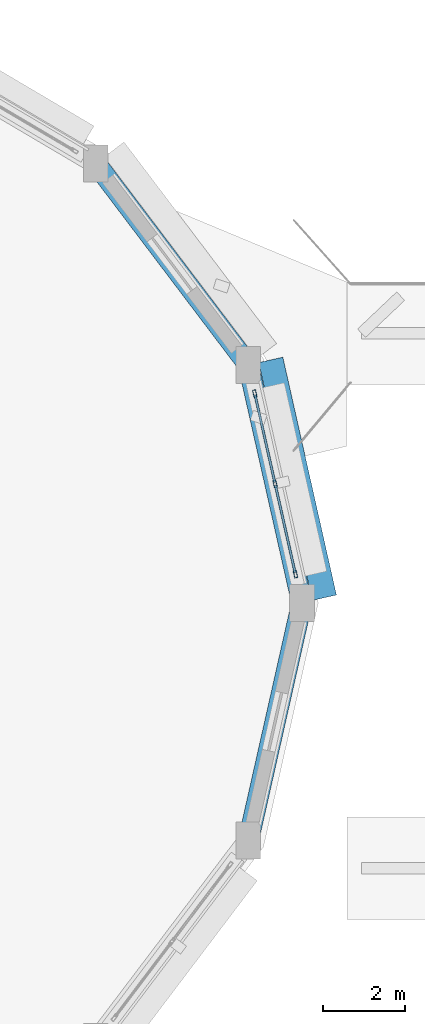
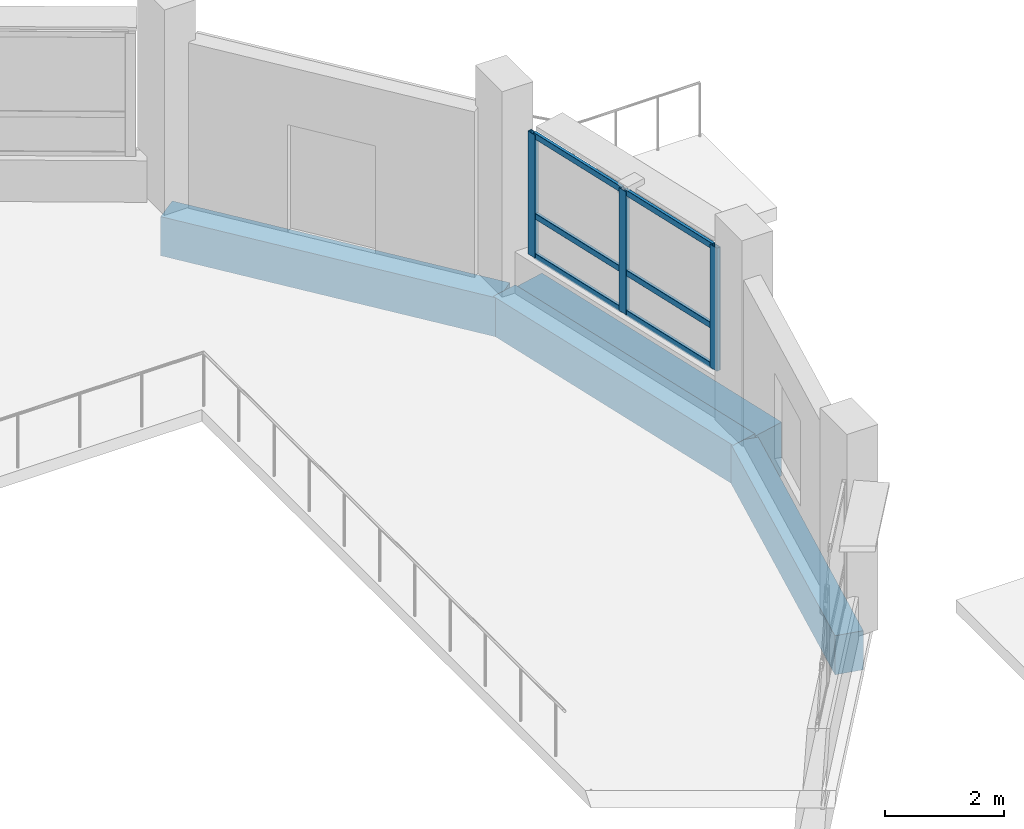
# One storey, part 96 of 128: 9 members, 4 beams, 1 element without a shape of its own.
"""IFC4 building model written with IfcOpenShell, lengths in metres."""

from ifc_helpers import new_model, si_unit, direction, frame, origin, origin_2d, place, context, subcontext, project, spatial, rectangle, hollow_rectangle, extrude, material, layer, layer_set, material_profile, profile_set, type_object, element, aggregate, save


model = new_model("IFC4")

# Units and contexts
model_context = context("Model", 3, precision=1e-05, world=origin(), true_north=direction((0.0, 1.0)))
body_context = subcontext(model_context, "Body", "Model", "MODEL_VIEW")
ifc_project = project(units=[si_unit("LENGTHUNIT", "METRE"), si_unit("AREAUNIT", "SQUARE_METRE"), si_unit("VOLUMEUNIT", "CUBIC_METRE"), si_unit("PLANEANGLEUNIT", "RADIAN"), si_unit("MASSUNIT", "GRAM", prefix="KILO")], contexts=[model_context])

# Site, building, storey
site_placement = place(None, origin())
site = spatial("IfcSite", under=ifc_project, at=site_placement, CompositionType="ELEMENT")
building_placement = place(site_placement, origin())
building = spatial("IfcBuilding", under=site, at=building_placement, Name="Vespera Passage Community Centre", CompositionType="ELEMENT")
storey_placement = place(building_placement, frame((0.0, 0.0, 4.5)))
storey = spatial("IfcBuildingStorey", under=building, at=storey_placement, Name="L01", CompositionType="ELEMENT", Elevation=4.5)

# Beams
ifc_material_1 = material(Name="Concrete f'c 45 MPa", Category="concrete")
ifc_material_profile_1 = material_profile(ifc_material_1, rectangle(XDim=0.60009765625, YDim=1.10009765625, at=origin_2d()), Name="RC600X1100")
ifc_profile_set_1 = profile_set([ifc_material_profile_1], Name="Concrete f'c 45 MPa")
beam_type_1 = type_object("IfcBeamType", Name="BM-AR-600X1100", PredefinedType="USERDEFINED", material=ifc_profile_set_1)
beam_1_placement = place(storey_placement, frame((160.646240234375, 89.623046875, -0.840087890625), z_axis=(-0.219766204697, 0.9755525692, 0.0), x_axis=(-0.9755525692, -0.219766204697, 0.0)))
element("IfcBeam", 1, at=beam_1_placement, inside=storey, type_object=beam_type_1, Name="Movement Joint MJ-01 550mm Corbel Bearing Seat South", ObjectType="ARCH RIB", PredefinedType="USERDEFINED", context=body_context, shape_type="SweptSolid", body=[
    extrude(rectangle(XDim=0.60009765625, YDim=1.10009765625, at=origin_2d()), origin(), (0.0, 0.0, 1.0), 5.92333984375),
])
ifc_material_2 = material(Name="Concrete f'c 35 MPa", Category="concrete")
ifc_material_profile_2 = material_profile(ifc_material_2, rectangle(XDim=0.5, YDim=0.800048828125, at=origin_2d()), Name="RC500X800")
ifc_profile_set_2 = profile_set([ifc_material_profile_2], Name="Concrete f'c 35 MPa")
beam_type_2 = type_object("IfcBeamType", Name="BM-SP-500X800E", PredefinedType="SPANDREL", material=ifc_profile_set_2)
beam_2_placement = place(storey_placement, frame((160.10009765625, 89.5, -0.639892578125), z_axis=(-0.219766204697, 0.9755525692, 0.0), x_axis=(-0.9755525692, -0.219766204697, 0.0)))
element("IfcBeam", 2, at=beam_2_placement, inside=storey, type_object=beam_type_2, Name="V2 L01 Perimeter Spandrel 1", PredefinedType="SPANDREL", context=body_context, shape_type="SweptSolid", body=[
    extrude(rectangle(XDim=0.5, YDim=0.800048828125, at=origin_2d()), origin(), (0.0, 0.0, 1.0), 5.92333984375),
])
beam_3_placement = place(storey_placement, frame((158.79833984375, 95.278564453125, -0.639892578125), z_axis=(-0.603409203322, 0.797431710773, 0.0), x_axis=(-0.797431710773, -0.603409203322, 0.0)))
element("IfcBeam", 3, at=beam_3_placement, inside=storey, type_object=beam_type_2, Name="V2 L01 Perimeter Spandrel 2", PredefinedType="SPANDREL", context=body_context, shape_type="SweptSolid", body=[
    extrude(rectangle(XDim=0.5, YDim=0.800048828125, at=origin_2d()), origin(), (0.0, 0.0, 1.0), 6.14306640625),
])
beam_4_placement = place(storey_placement, frame((158.79833984375, 83.721435546875, -0.639892578125), z_axis=(0.219766204697, 0.9755525692, 0.0), x_axis=(-0.9755525692, 0.219766204697, 0.0)))
element("IfcBeam", 4, at=beam_4_placement, inside=storey, type_object=beam_type_2, Name="V2 L01 Perimeter Spandrel 16", PredefinedType="SPANDREL", context=body_context, shape_type="SweptSolid", body=[
    extrude(rectangle(XDim=0.5, YDim=0.800048828125, at=origin_2d()), origin(), (0.0, 0.0, 1.0), 5.92333984375),
])

# Curtain wall, members
ifc_material_3 = material(Name="Anodized aluminium 6063-T6", Category="aluminium")
ifc_layer = layer(ifc_material_3, 0.159912109375)
ifc_layer_set = layer_set([ifc_layer], Name="Anodized aluminium 6063-T6")
curtain_wall_type = type_object("IfcCurtainWallType", Name="CW-93E", PredefinedType="NOTDEFINED", material=ifc_layer_set)
curtain_wall_placement = place(storey_placement, origin())
curtain_wall = element("IfcCurtainWall", 5, at=curtain_wall_placement, inside=storey, type_object=curtain_wall_type, Name="Sports Drum Ribbon Curtain Wall L01.1", PredefinedType="NOTDEFINED")
ifc_material_4 = material(Name="Anodized aluminium 6063-T6", Category="aluminium")
ifc_material_profile_3 = material_profile(ifc_material_4, hollow_rectangle(XDim=0.074951171875, YDim=0.179931640625, WallThickness=0.0048828125, InnerFilletRadius=0.00244140625, OuterFilletRadius=0.0048828125, at=origin_2d()), Name="ALU180X75X5")
ifc_profile_set_3 = profile_set([ifc_material_profile_3], Name="Anodized aluminium 6063-T6")
member_type_1 = type_object("IfcMemberType", Name="MB-CWM-180E", PredefinedType="MULLION", material=ifc_profile_set_3)
member_1_placement = place(storey_placement, frame((158.955078125, 94.582275390625, 0.85009765625), z_axis=(0.0, 0.0, 1.0), x_axis=(0.975553383073, 0.219762591846, 0.0)))
member_1 = element("IfcMember", 6, at=member_1_placement, type_object=member_type_1, Name="CW-93E mullion 1", PredefinedType="MULLION", context=body_context, shape_type="SweptSolid", body=[
    extrude(hollow_rectangle(XDim=0.074951171875, YDim=0.179931640625, WallThickness=0.0048828125, InnerFilletRadius=0.00244140625, OuterFilletRadius=0.0048828125, at=origin_2d()), origin(), (0.0, 0.0, 1.0), 2.514892578125),
])
member_2_placement = place(storey_placement, frame((159.44921875, 92.38916015625, 0.85009765625), z_axis=(0.0, 0.0, 1.0), x_axis=(0.975553383073, 0.219762591846, 0.0)))
member_2 = element("IfcMember", 7, at=member_2_placement, type_object=member_type_1, Name="CW-93E mullion 2", PredefinedType="MULLION", context=body_context, shape_type="SweptSolid", body=[
    extrude(hollow_rectangle(XDim=0.074951171875, YDim=0.179931640625, WallThickness=0.0048828125, InnerFilletRadius=0.00244140625, OuterFilletRadius=0.0048828125, at=origin_2d()), origin(), (0.0, 0.0, 1.0), 2.514892578125),
])
member_3_placement = place(storey_placement, frame((159.943115234375, 90.1962890625, 0.85009765625), z_axis=(0.0, 0.0, 1.0), x_axis=(0.975553383073, 0.219762591846, 0.0)))
member_3 = element("IfcMember", 8, at=member_3_placement, type_object=member_type_1, Name="CW-93E mullion 3", PredefinedType="MULLION", context=body_context, shape_type="SweptSolid", body=[
    extrude(hollow_rectangle(XDim=0.074951171875, YDim=0.179931640625, WallThickness=0.0048828125, InnerFilletRadius=0.00244140625, OuterFilletRadius=0.0048828125, at=origin_2d()), origin(), (0.0, 0.0, 1.0), 2.514892578125),
])
ifc_material_5 = material(Name="Anodized aluminium 6063-T6", Category="aluminium")
ifc_material_profile_4 = material_profile(ifc_material_5, hollow_rectangle(XDim=0.06005859375, YDim=0.1201171875, WallThickness=0.00390625, InnerFilletRadius=0.001953125, OuterFilletRadius=0.00390625, at=origin_2d()), Name="ALU120X60X4")
ifc_profile_set_4 = profile_set([ifc_material_profile_4], Name="Anodized aluminium 6063-T6")
member_type_2 = type_object("IfcMemberType", Name="MB-CWT-120E", PredefinedType="USERDEFINED", material=ifc_profile_set_4)
member_4_placement = place(storey_placement, frame((158.96337890625, 94.545654296875, 0.8798828125), z_axis=(0.219760819775, -0.975553782265, 0.0), x_axis=(0.975553782265, 0.219760819775, 0.0)))
member_4 = element("IfcMember", 9, at=member_4_placement, type_object=member_type_2, Name="CW-93E transom 1.1", ObjectType="TRANSOM", PredefinedType="USERDEFINED", context=body_context, shape_type="SweptSolid", body=[
    extrude(hollow_rectangle(XDim=0.06005859375, YDim=0.1201171875, WallThickness=0.00390625, InnerFilletRadius=0.001953125, OuterFilletRadius=0.00390625, at=origin_2d()), origin(), (0.0, 0.0, 1.0), 2.173095703125),
])
member_5_placement = place(storey_placement, frame((158.96337890625, 94.545654296875, 1.699951171875), z_axis=(0.219760819775, -0.975553782265, 0.0), x_axis=(0.975553782265, 0.219760819775, 0.0)))
member_5 = element("IfcMember", 10, at=member_5_placement, type_object=member_type_2, Name="CW-93E transom 1.2", ObjectType="TRANSOM", PredefinedType="USERDEFINED", context=body_context, shape_type="SweptSolid", body=[
    extrude(hollow_rectangle(XDim=0.06005859375, YDim=0.1201171875, WallThickness=0.00390625, InnerFilletRadius=0.001953125, OuterFilletRadius=0.00390625, at=origin_2d()), origin(), (0.0, 0.0, 1.0), 2.173095703125),
])
member_6_placement = place(storey_placement, frame((158.96337890625, 94.545654296875, 3.3349609375), z_axis=(0.219760819775, -0.975553782265, 0.0), x_axis=(0.975553782265, 0.219760819775, 0.0)))
member_6 = element("IfcMember", 11, at=member_6_placement, type_object=member_type_2, Name="CW-93E transom 1.3", ObjectType="TRANSOM", PredefinedType="USERDEFINED", context=body_context, shape_type="SweptSolid", body=[
    extrude(hollow_rectangle(XDim=0.06005859375, YDim=0.1201171875, WallThickness=0.00390625, InnerFilletRadius=0.001953125, OuterFilletRadius=0.00390625, at=origin_2d()), origin(), (0.0, 0.0, 1.0), 2.173095703125),
])
member_7_placement = place(storey_placement, frame((159.457275390625, 92.352783203125, 0.8798828125), z_axis=(0.219760819775, -0.975553782265, 0.0), x_axis=(0.975553782265, 0.219760819775, 0.0)))
member_7 = element("IfcMember", 12, at=member_7_placement, type_object=member_type_2, Name="CW-93E transom 2.1", ObjectType="TRANSOM", PredefinedType="USERDEFINED", context=body_context, shape_type="SweptSolid", body=[
    extrude(hollow_rectangle(XDim=0.06005859375, YDim=0.1201171875, WallThickness=0.00390625, InnerFilletRadius=0.001953125, OuterFilletRadius=0.00390625, at=origin_2d()), origin(), (0.0, 0.0, 1.0), 2.173095703125),
])
member_8_placement = place(storey_placement, frame((159.457275390625, 92.352783203125, 1.699951171875), z_axis=(0.219760819775, -0.975553782265, 0.0), x_axis=(0.975553782265, 0.219760819775, 0.0)))
member_8 = element("IfcMember", 13, at=member_8_placement, type_object=member_type_2, Name="CW-93E transom 2.2", ObjectType="TRANSOM", PredefinedType="USERDEFINED", context=body_context, shape_type="SweptSolid", body=[
    extrude(hollow_rectangle(XDim=0.06005859375, YDim=0.1201171875, WallThickness=0.00390625, InnerFilletRadius=0.001953125, OuterFilletRadius=0.00390625, at=origin_2d()), origin(), (0.0, 0.0, 1.0), 2.173095703125),
])
member_9_placement = place(storey_placement, frame((159.457275390625, 92.352783203125, 3.3349609375), z_axis=(0.219760819775, -0.975553782265, 0.0), x_axis=(0.975553782265, 0.219760819775, 0.0)))
member_9 = element("IfcMember", 14, at=member_9_placement, type_object=member_type_2, Name="CW-93E transom 2.3", ObjectType="TRANSOM", PredefinedType="USERDEFINED", context=body_context, shape_type="SweptSolid", body=[
    extrude(hollow_rectangle(XDim=0.06005859375, YDim=0.1201171875, WallThickness=0.00390625, InnerFilletRadius=0.001953125, OuterFilletRadius=0.00390625, at=origin_2d()), origin(), (0.0, 0.0, 1.0), 2.173095703125),
])
aggregate(curtain_wall, [member_1, member_2, member_3, member_4, member_5, member_6, member_7, member_8, member_9])

save(model, "model.ifc")
